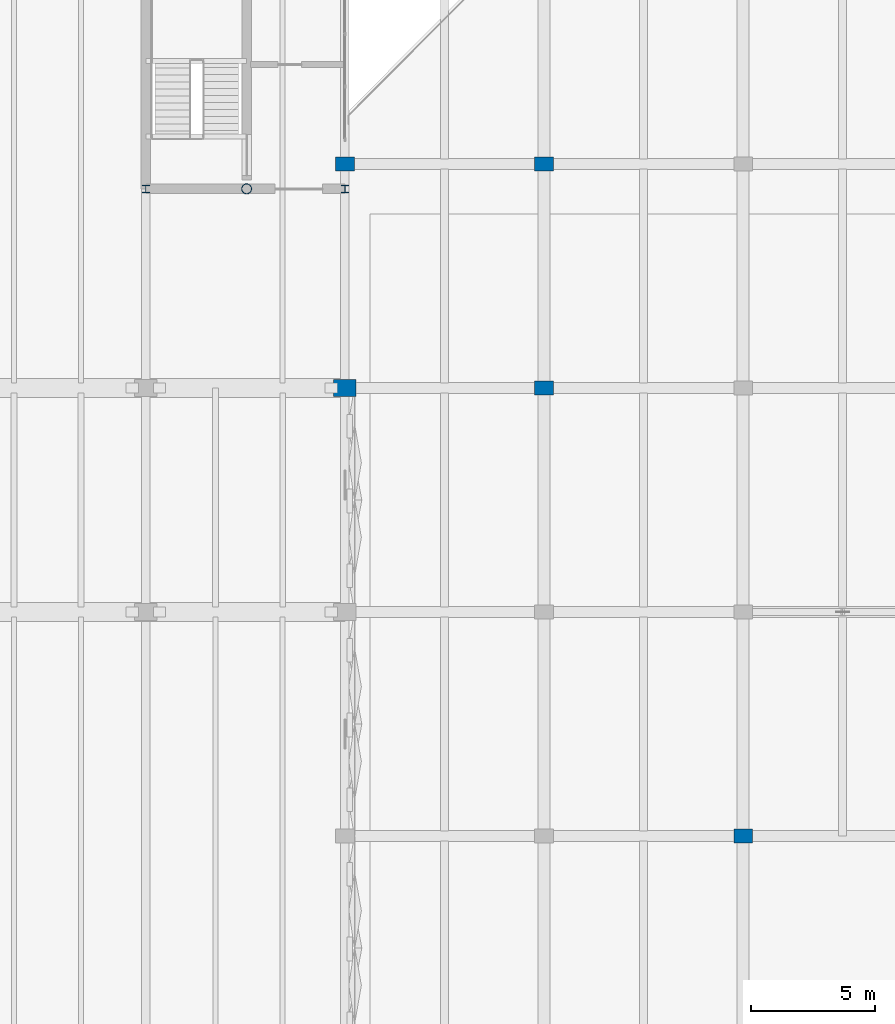
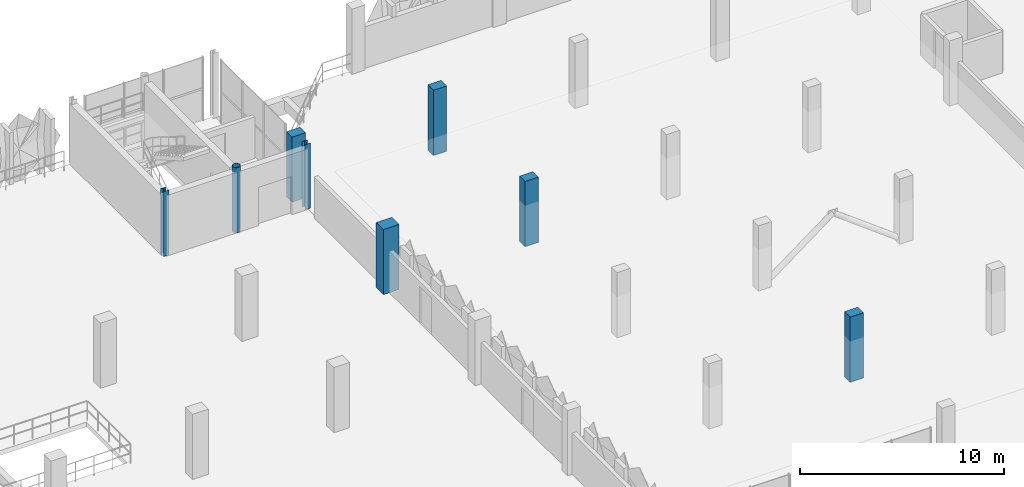
# One storey, part 15 of 123: 8 columns.
"""IFC4 building model written with IfcOpenShell, lengths in metres."""

from ifc_helpers import new_model, si_unit, derived_unit, direction, frame, origin, origin_2d, place, context, subcontext, project, spatial, rectangle, hollow_circle, i_section, extrude, material, material_profile, profile_set, type_object, element, save


model = new_model("IFC4")

# Units and contexts
model_context = context("Model", 3, precision=1e-05, world=origin(), true_north=direction((0.0, 1.0)))
body_context = subcontext(model_context, "Body", "Model", "MODEL_VIEW")
ifc_project = project(units=[si_unit("LENGTHUNIT", "METRE"), si_unit("AREAUNIT", "SQUARE_METRE"), si_unit("VOLUMEUNIT", "CUBIC_METRE"), si_unit("PLANEANGLEUNIT", "RADIAN"), si_unit("MASSUNIT", "GRAM", prefix="KILO"), si_unit("THERMODYNAMICTEMPERATUREUNIT", "KELVIN"), derived_unit("THERMALTRANSMITTANCEUNIT", [(si_unit("POWERUNIT", "WATT"), 1), (si_unit("AREAUNIT", "SQUARE_METRE"), -1), (si_unit("THERMODYNAMICTEMPERATUREUNIT", "KELVIN"), -1)])], contexts=[model_context])

# Site, building, storey
site_placement = place(None, origin())
site = spatial("IfcSite", under=ifc_project, at=site_placement, CompositionType="ELEMENT")
building_placement = place(site_placement, origin())
building = spatial("IfcBuilding", under=site, at=building_placement, Name="Haiyu Intermodal Mobility Hub", CompositionType="ELEMENT")
storey_placement = place(building_placement, frame((0.0, 0.0, 5.60009765625)))
storey = spatial("IfcBuildingStorey", under=building, at=storey_placement, Name="L01", CompositionType="ELEMENT", Elevation=5.60009765625)

# Columns
ifc_material_1 = material(Name="Precast concrete C40", Category="concrete")
ifc_material_profile_1 = material_profile(ifc_material_1, rectangle(XDim=0.89990234375, YDim=0.699951171875, at=origin_2d()), Name="RC900x700")
ifc_profile_set_1 = profile_set([ifc_material_profile_1], Name="Precast concrete C40")
column_type_1 = type_object("IfcColumnType", Name="COL-CC04-EXT", PredefinedType="COLUMN", material=ifc_profile_set_1)
column_1_placement = place(storey_placement, frame((162.0, 131.0, 0.0), z_axis=(0.0, 0.0, 1.0), x_axis=(1.0, 0.0, 0.0)))
element("IfcColumn", 1, at=column_1_placement, inside=storey, type_object=column_type_1, Name="Column V4-18Q L01", PredefinedType="COLUMN", context=body_context, shape_type="SweptSolid", body=[
    extrude(rectangle(XDim=0.89990234375, YDim=0.699951171875, at=origin_2d()), origin(), (0.0, 0.0, 1.0), 3.89990234375),
])
ifc_material_2 = material(Name="Concrete C40", Category="concrete")
ifc_material_profile_2 = material_profile(ifc_material_2, rectangle(XDim=0.75, YDim=0.550048828125, at=origin_2d()), Name="C750x550")
ifc_profile_set_2 = profile_set([ifc_material_profile_2], Name="Concrete C40")
column_type_2 = type_object("IfcColumnType", Name="COL-CC15", PredefinedType="COLUMN", material=ifc_profile_set_2)
for number, where, z_axis, x_axis, name in (
    (2, (170.0, 131.0, 0.0), (0.0, 0.0, 1.0), (1.0, 0.0, 0.0), "Column V6-19Q L01"),
    (3, (170.0, 140.0, 0.0), (0.0, 0.0, 1.0), (1.0, 0.0, 0.0), "Column V6-19R L01"),
    (4, (178.0, 113.0, 0.0), (0.0, 0.0, 1.0), (1.0, 0.0, 0.0), "Column V6-20N L01"),
):
    element("IfcColumn", number, at=place(storey_placement, frame(where, z_axis=z_axis, x_axis=x_axis)), inside=storey, type_object=column_type_2, Name=name, PredefinedType="COLUMN", context=body_context, shape_type="SweptSolid", body=[
        extrude(rectangle(XDim=0.75, YDim=0.550048828125, at=origin_2d()), origin(), (0.0, 0.0, 1.0), 3.89990234375),
    ])
ifc_material_profile_3 = material_profile(ifc_material_2, rectangle(XDim=0.75, YDim=0.550048828125, at=origin_2d()), Name="C750x550")
ifc_profile_set_3 = profile_set([ifc_material_profile_3], Name="Concrete C40")
column_type_3 = type_object("IfcColumnType", Name="COL-CC15-EXT", PredefinedType="COLUMN", material=ifc_profile_set_3)
column_2_placement = place(storey_placement, frame((162.0, 140.0, 0.0), z_axis=(0.0, 0.0, 1.0), x_axis=(1.0, 0.0, 0.0)))
element("IfcColumn", 5, at=column_2_placement, inside=storey, type_object=column_type_3, Name="Column V6-18R L01", PredefinedType="COLUMN", context=body_context, shape_type="SweptSolid", body=[
    extrude(rectangle(XDim=0.75, YDim=0.550048828125, at=origin_2d()), origin(), (0.0, 0.0, 1.0), 3.89990234375),
])
ifc_material_3 = material(Name="Steel Q355C", Category="steel")
ifc_material_profile_4 = material_profile(ifc_material_3, hollow_circle(Radius=0.202880859375, WallThickness=0.013916015625, at=origin_2d()), Name="CHS406x14")
ifc_profile_set_4 = profile_set([ifc_material_profile_4], Name="Steel Q355C")
column_type_4 = type_object("IfcColumnType", Name="COL-SC03", PredefinedType="COLUMN", material=ifc_profile_set_4)
column_3_placement = place(storey_placement, frame((158.050048828125, 139.0, 0.0), z_axis=(0.0, 0.0, 1.0), x_axis=(1.0, 0.0, 0.0)))
element("IfcColumn", 6, at=column_3_placement, inside=storey, type_object=column_type_4, Name="Column C4-MS L01", PredefinedType="COLUMN", context=body_context, shape_type="SweptSolid", body=[
    extrude(hollow_circle(Radius=0.202880859375, WallThickness=0.013916015625, at=origin_2d()), origin(), (0.0, 0.0, 1.0), 3.89990234375),
])
ifc_material_profile_5 = material_profile(ifc_material_3, i_section(OverallWidth=0.300048828125, OverallDepth=0.300048828125, WebThickness=0.010009765625, FlangeThickness=0.014892578125, FilletRadius=0.01806640625, at=origin_2d()), Name="HW300x300x10x15")
ifc_profile_set_5 = profile_set([ifc_material_profile_5], Name="Steel Q355C")
column_type_5 = type_object("IfcColumnType", Name="COL-SC07", PredefinedType="COLUMN", material=ifc_profile_set_5)
column_4_placement = place(storey_placement, frame((154.0, 139.0, 0.0), z_axis=(0.0, 0.0, 1.0), x_axis=(1.0, 0.0, 0.0)))
element("IfcColumn", 7, at=column_4_placement, inside=storey, type_object=column_type_5, Name="Column C4-SW L01", PredefinedType="COLUMN", context=body_context, shape_type="SweptSolid", body=[
    extrude(i_section(OverallWidth=0.300048828125, OverallDepth=0.300048828125, WebThickness=0.010009765625, FlangeThickness=0.014892578125, FilletRadius=0.01806640625, at=origin_2d()), origin(), (0.0, 0.0, 1.0), 3.89990234375),
])
ifc_material_profile_6 = material_profile(ifc_material_3, i_section(OverallWidth=0.300048828125, OverallDepth=0.300048828125, WebThickness=0.010009765625, FlangeThickness=0.014892578125, FilletRadius=0.01806640625, at=origin_2d()), Name="HW300x300x10x15")
ifc_profile_set_6 = profile_set([ifc_material_profile_6], Name="Steel Q355C")
column_type_6 = type_object("IfcColumnType", Name="COL-SC07-EXT", PredefinedType="COLUMN", material=ifc_profile_set_6)
column_5_placement = place(storey_placement, frame((162.0, 139.0, 0.0), z_axis=(0.0, 0.0, 1.0), x_axis=(1.0, 0.0, 0.0)))
element("IfcColumn", 8, at=column_5_placement, inside=storey, type_object=column_type_6, Name="Column C4-SE L01", PredefinedType="COLUMN", context=body_context, shape_type="SweptSolid", body=[
    extrude(i_section(OverallWidth=0.300048828125, OverallDepth=0.300048828125, WebThickness=0.010009765625, FlangeThickness=0.014892578125, FilletRadius=0.01806640625, at=origin_2d()), origin(), (0.0, 0.0, 1.0), 3.89990234375),
])

save(model, "model.ifc")
